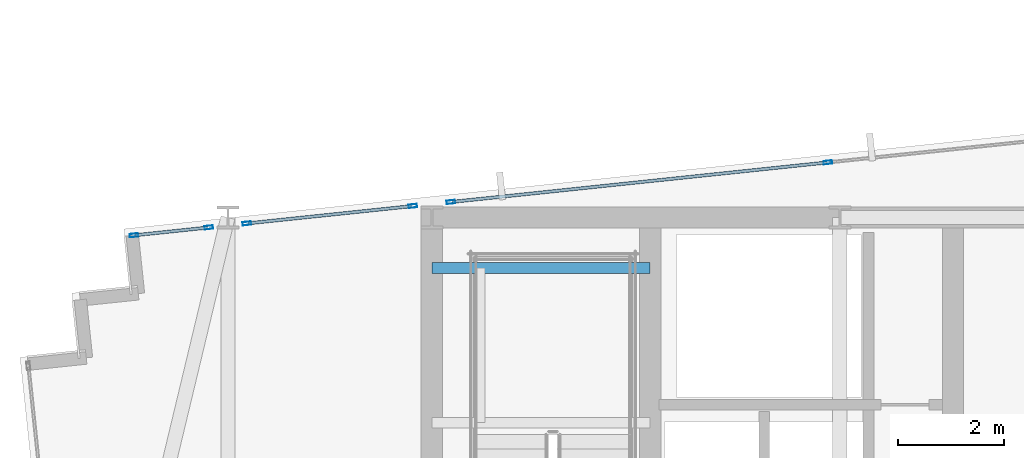
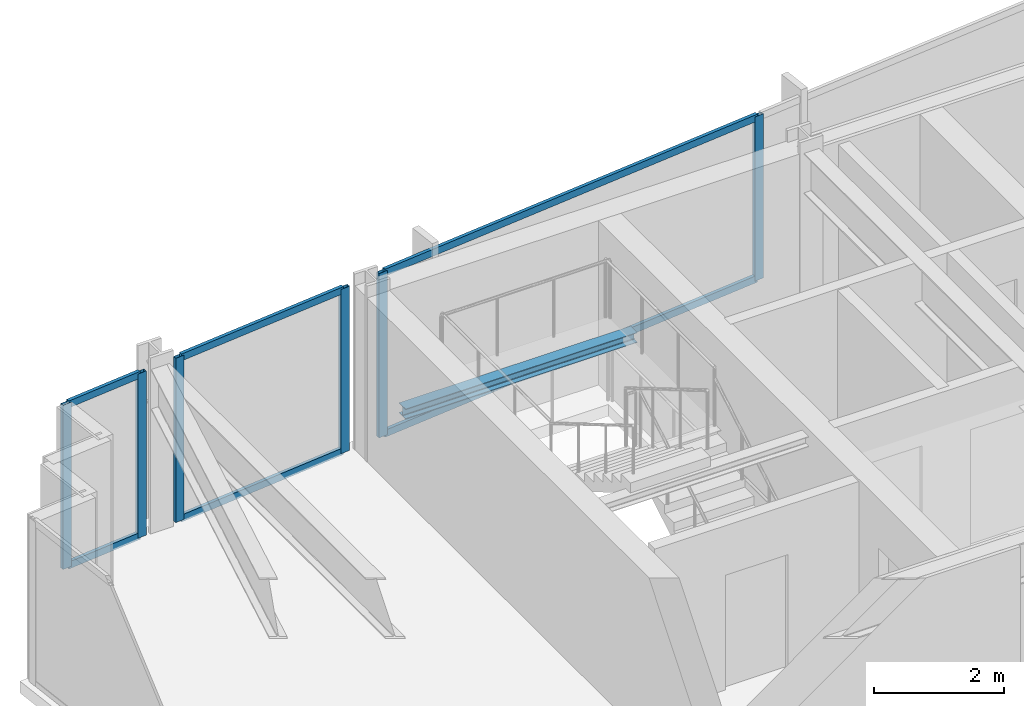
# One storey, part 20 of 32: 12 members, 1 beam, 3 elements without a shape of their own.
"""IFC4 building model written with IfcOpenShell, lengths in metres."""

import ifcopenshell
import ifcopenshell.guid

model = None  # the IFC model being written
_history = None  # IfcOwnerHistory: only IFC2X3 demands one
_inside = {}  # id of a spatial element -> (the spatial element, [elements in it])
_under = {}  # id of a project, library or spatial element -> (it, [spatial elements below it])
_declared = {}  # id of a project -> (the project, [libraries it declares])
_typed = {}  # id of a type object -> (the type object, [elements of that type])
_made_of = {}  # id of a material, layer set ... -> (it, [elements and type objects made of it])


def new_model(schema):
    """Start an empty IFC model of exactly this schema.

    Asked for "IFC4X3", IfcOpenShell would pick the latest addendum, in which some entities
    have other attributes; the version numbers below select the first issue.
    IFC2X3 requires an IfcOwnerHistory on every rooted entity: one is made here for all.
    """
    global model, _history
    if schema == "IFC4X3":
        model = ifcopenshell.file(schema_version=(4, 3, 0, 0))
    else:
        model = ifcopenshell.file(schema=schema)
    _inside.clear()
    _under.clear()
    _declared.clear()
    _typed.clear()
    _made_of.clear()
    _history = None
    if model.schema == "IFC2X3":
        org = make("IfcOrganization", Name="unknown")
        user = make(
            "IfcPersonAndOrganization",
            ThePerson=make("IfcPerson", FamilyName="unknown"),
            TheOrganization=org,
        )
        app = make(
            "IfcApplication",
            ApplicationDeveloper=org,
            Version="unknown",
            ApplicationFullName="unknown",
            ApplicationIdentifier="unknown",
        )
        _history = make(
            "IfcOwnerHistory",
            OwningUser=user,
            OwningApplication=app,
            ChangeAction="ADDED",
            CreationDate=0,
        )
    return model


def make(cls, **values):
    """One entity of the class cls with the attributes given. An attribute that is None is left unset."""
    return model.create_entity(
        cls, **{name: value for name, value in values.items() if value is not None}
    )


def rooted(cls, **values):
    """An entity with a GlobalId (a new one), such as an element, a storey or a relation."""
    return make(cls, GlobalId=ifcopenshell.guid.new(), OwnerHistory=_history, **values)


def si_unit(unit_type, name, prefix=None):
    """IfcSIUnit, for example si_unit("LENGTHUNIT", "METRE", prefix="MILLI")."""
    return make("IfcSIUnit", UnitType=unit_type, Prefix=prefix, Name=name)


def assignment(units):
    """IfcUnitAssignment: the units of a project."""
    return None if units is None else make("IfcUnitAssignment", Units=units)


def point(xyz):
    """IfcCartesianPoint."""
    return None if xyz is None else make("IfcCartesianPoint", Coordinates=xyz)


def direction(xyz):
    """IfcDirection."""
    return None if xyz is None else make("IfcDirection", DirectionRatios=xyz)


def frame(location, z_axis=None, x_axis=None):
    """IfcAxis2Placement3D, a coordinate frame: its origin and axes. An axis left out is left unset."""
    return make(
        "IfcAxis2Placement3D",
        Location=point(location),
        Axis=direction(z_axis),
        RefDirection=direction(x_axis),
    )


def frame_2d(location, x_axis=None):
    """IfcAxis2Placement2D, a coordinate frame in the plane: its origin and x axis."""
    return make(
        "IfcAxis2Placement2D", Location=point(location), RefDirection=direction(x_axis)
    )


def origin():
    """The frame at (0, 0, 0) with its axes left unset."""
    return frame((0.0, 0.0, 0.0))


def origin_2d():
    """The frame at (0, 0) in the plane with its x axis left unset."""
    return frame_2d((0.0, 0.0))


def place(relative_to, where):
    """IfcLocalPlacement: puts the frame where relative to a parent placement (None: the world)."""
    return make(
        "IfcLocalPlacement", PlacementRelTo=relative_to, RelativePlacement=where
    )


def context(
    kind, dimensions, precision=None, world=None, true_north=None, identifier=None
):
    """IfcGeometricRepresentationContext, for example the 3D "Model" context."""
    return make(
        "IfcGeometricRepresentationContext",
        ContextIdentifier=identifier,
        ContextType=kind,
        CoordinateSpaceDimension=dimensions,
        Precision=precision,
        WorldCoordinateSystem=world,
        TrueNorth=true_north,
    )


def subcontext(parent, identifier, kind, view, scale=None):
    """IfcGeometricRepresentationSubContext, for example "Body" below "Model"."""
    return make(
        "IfcGeometricRepresentationSubContext",
        ContextIdentifier=identifier,
        ContextType=kind,
        ParentContext=parent,
        TargetScale=scale,
        TargetView=view,
    )


def project(units=None, contexts=None):
    """IfcProject with its units and contexts."""
    return rooted(
        "IfcProject",
        Name="project",
        RepresentationContexts=contexts,
        UnitsInContext=assignment(units),
    )


def spatial(cls, under=None, at=None, **own):
    """A site, building, storey or space (cls), placed at a placement, below another one or the project."""
    s = rooted(cls, ObjectPlacement=at, **own)
    if under is not None:
        _under.setdefault(under.id(), (under, []))[1].append(s)
    return s


def profile(cls, at=None, kind="AREA", **sizes):
    """A parametric profile (cls). Its sizes go by their IFC names, for example OverallWidth=200.0."""
    return make(cls, ProfileType=kind, Position=at, **sizes)


def hollow_rectangle(**sizes):
    """IfcRectangleHollowProfileDef."""
    return profile("IfcRectangleHollowProfileDef", **sizes)


def i_section(**sizes):
    """IfcIShapeProfileDef."""
    return profile("IfcIShapeProfileDef", **sizes)


def extrude(swept, where, along, depth):
    """IfcExtrudedAreaSolid: the profile swept, set in the frame where, extruded along a direction by depth."""
    return make(
        "IfcExtrudedAreaSolid",
        SweptArea=swept,
        Position=where,
        ExtrudedDirection=direction(along),
        Depth=depth,
    )


def shape(context_of_items, identifier, shape_type, items):
    """IfcShapeRepresentation: the items that make up one representation, for example the "Body"."""
    return make(
        "IfcShapeRepresentation",
        ContextOfItems=context_of_items,
        RepresentationIdentifier=identifier,
        RepresentationType=shape_type,
        Items=items,
    )


def material(Name=None, Category=None):
    """IfcMaterial."""
    return make("IfcMaterial", Name=Name, Category=Category)


def material_profile(
    of_material, cross_section, Name=None, Category=None, Priority=None
):
    """IfcMaterialProfile: a cross section and its material."""
    return make(
        "IfcMaterialProfile",
        Name=Name,
        Material=of_material,
        Profile=cross_section,
        Priority=Priority,
        Category=Category,
    )


def profile_set(profiles, Name=None, composite=None):
    """IfcMaterialProfileSet."""
    return make(
        "IfcMaterialProfileSet",
        Name=Name,
        MaterialProfiles=profiles,
        CompositeProfile=composite,
    )


def made_of(thing, what):
    """Note that an element or type object is made of a material, layer set ...; save() writes the relation."""
    if what is not None:
        _made_of.setdefault(what.id(), (what, []))[1].append(thing)
    return thing


def type_object(cls, material=None, **own):
    """A type object (cls), such as IfcWallType, which elements share."""
    return made_of(rooted(cls, **own), material)


def element(
    cls,
    number,
    at=None,
    inside=None,
    cuts=None,
    type_object=None,
    material=None,
    context=None,
    identifier="Body",
    shape_type=None,
    held_by="IfcProductDefinitionShape",
    body=None,
    shapes=None,
    **own,
):
    """One element of the class cls, such as IfcWall. Its Tag is "e" and its number.

    at: its placement. inside: the storey or other place that contains it. cuts: it is an
    opening in that element (IfcRelVoidsElement). A single representation is given by context,
    identifier, shape_type and body (its items); several are given by shapes. held_by: the class
    of the entity that holds the representations. save() writes the other relations.
    """
    e = rooted(cls, Tag="e%d" % number, ObjectPlacement=at, **own)
    if body is not None:
        shapes = [shape(context, identifier, shape_type, body)]
    if shapes is not None:
        e.Representation = make(held_by, Representations=shapes)
    if inside is not None:
        _inside.setdefault(inside.id(), (inside, []))[1].append(e)
    if cuts is not None:
        rooted(
            "IfcRelVoidsElement", RelatingBuildingElement=cuts, RelatedOpeningElement=e
        )
    if type_object is not None:
        _typed.setdefault(type_object.id(), (type_object, []))[1].append(e)
    return made_of(e, material)


def aggregate(whole, parts):
    """IfcRelAggregates: a whole, such as a stair, and the parts it consists of."""
    return rooted("IfcRelAggregates", RelatingObject=whole, RelatedObjects=parts)


def save(model, path):
    """Write the relations noted so far, then the file.

    IfcRelAggregates (storeys below a building ...), IfcRelContainedInSpatialStructure (elements
    in a storey), IfcRelDefinesByType, IfcRelAssociatesMaterial and IfcRelDeclares: one each for
    every whole, place, type object, material and project.
    """
    for whole, parts in _under.values():
        aggregate(whole, parts)
    for where, things in _inside.values():
        rooted(
            "IfcRelContainedInSpatialStructure",
            RelatedElements=things,
            RelatingStructure=where,
        )
    for kind, things in _typed.values():
        rooted("IfcRelDefinesByType", RelatedObjects=things, RelatingType=kind)
    for what, things in _made_of.values():
        rooted("IfcRelAssociatesMaterial", RelatedObjects=things, RelatingMaterial=what)
    for by, libraries in _declared.values():
        rooted("IfcRelDeclares", RelatingContext=by, RelatedDefinitions=libraries)
    model.write(path)


model = new_model("IFC4")

# Units and contexts
model_context = context("Model", 3, precision=1e-05, world=origin(), true_north=direction((0.0, 1.0)))
body_context = subcontext(model_context, "Body", "Model", "MODEL_VIEW")
ifc_project = project(units=[si_unit("LENGTHUNIT", "METRE"), si_unit("AREAUNIT", "SQUARE_METRE"), si_unit("VOLUMEUNIT", "CUBIC_METRE"), si_unit("PLANEANGLEUNIT", "RADIAN"), si_unit("MASSUNIT", "GRAM", prefix="KILO")], contexts=[model_context])

# Site, building, storey
site_placement = place(None, origin())
site = spatial("IfcSite", under=ifc_project, at=site_placement, CompositionType="ELEMENT")
building_placement = place(site_placement, origin())
building = spatial("IfcBuilding", under=site, at=building_placement, Name="Yelkora Congress Tower", CompositionType="ELEMENT")
storey_placement = place(building_placement, frame((0.0, 0.0, 211.10009765625)))
storey = spatial("IfcBuildingStorey", under=building, at=storey_placement, Name="L58", CompositionType="ELEMENT", Elevation=211.10009765625)

# Beam
ifc_material_1 = material(Name="Steel S355J2", Category="steel")
ifc_material_profile_1 = material_profile(ifc_material_1, i_section(OverallWidth=0.199951171875, OverallDepth=0.18994140625, WebThickness=0.006591796875, FlangeThickness=0.010009765625, FilletRadius=0.01806640625, at=origin_2d()), Name="HEA 200")
ifc_profile_set_1 = profile_set([ifc_material_profile_1], Name="Steel S355J2")
beam_type = type_object("IfcBeamType", Name="BM-LAND-HEA200", PredefinedType="BEAM", material=ifc_profile_set_1)
beam_placement = place(storey_placement, frame((23.0400390625, 45.25, 1.33447265625), z_axis=(1.0, 0.0, 0.0), x_axis=(0.0, 1.0, 0.0)))
element("IfcBeam", 1, at=beam_placement, inside=storey, type_object=beam_type, Name="ST-01 L58 Landing Header Beam 1N", PredefinedType="BEAM", context=body_context, shape_type="SweptSolid", body=[
    extrude(i_section(OverallWidth=0.199951171875, OverallDepth=0.18994140625, WebThickness=0.006591796875, FlangeThickness=0.010009765625, FilletRadius=0.01806640625, at=origin_2d()), origin(), (0.0, 0.0, 1.0), 4.10986328125),
])

# Curtain wall, members
ifc_material_2 = material(Name="Anodised aluminium and insulated glass", Category="aluminium")
curtain_wall_type = type_object("IfcCurtainWallType", Name="CW-SYS-B4", PredefinedType="NOTDEFINED", material=ifc_material_2)
curtain_wall_1_placement = place(storey_placement, origin())
curtain_wall_1 = element("IfcCurtainWall", 2, at=curtain_wall_1_placement, inside=storey, type_object=curtain_wall_type, Name="L58 Unitised Curtain Wall 10 (1)", PredefinedType="NOTDEFINED")
ifc_material_3 = material(Name="Anodised aluminium 6063-T6", Category="aluminium")
ifc_material_profile_2 = material_profile(ifc_material_3, hollow_rectangle(XDim=0.06494140625, YDim=0.159912109375, WallThickness=0.00390625, at=origin_2d()), Name="ALU 65x160x4")
ifc_profile_set_2 = profile_set([ifc_material_profile_2], Name="Anodised aluminium 6063-T6")
member_type_1 = type_object("IfcMemberType", Name="MEM-ML-B4", PredefinedType="MULLION", material=ifc_profile_set_2)
member_1_placement = place(storey_placement, frame((17.431396484375, 45.865966796875, 0.0), z_axis=(0.0, 0.0, 1.0), x_axis=(-0.104509292244, 0.994523910137, 0.0)))
member_1 = element("IfcMember", 3, at=member_1_placement, type_object=member_type_1, Name="CW-B4 mullion 1", PredefinedType="MULLION", context=body_context, shape_type="SweptSolid", body=[
    extrude(hollow_rectangle(XDim=0.06494140625, YDim=0.159912109375, WallThickness=0.00390625, at=origin_2d()), origin(), (0.0, 0.0, 1.0), 3.079833984375),
])
member_2_placement = place(storey_placement, frame((18.841796875, 46.01416015625, 0.0), z_axis=(0.0, 0.0, 1.0), x_axis=(-0.104509292244, 0.994523910137, 0.0)))
member_2 = element("IfcMember", 4, at=member_2_placement, type_object=member_type_1, Name="CW-B4 mullion 2", PredefinedType="MULLION", context=body_context, shape_type="SweptSolid", body=[
    extrude(hollow_rectangle(XDim=0.06494140625, YDim=0.159912109375, WallThickness=0.00390625, at=origin_2d()), origin(), (0.0, 0.0, 1.0), 3.079833984375),
])

curtain_wall_2_placement = place(storey_placement, origin())
curtain_wall_2 = element("IfcCurtainWall", 5, at=curtain_wall_2_placement, inside=storey, type_object=curtain_wall_type, Name="L58 Unitised Curtain Wall 10 (2)", PredefinedType="NOTDEFINED")
member_3_placement = place(storey_placement, frame((19.558349609375, 46.089599609375, 0.0), z_axis=(0.0, 0.0, 1.0), x_axis=(-0.104506154437, 0.994524239868, 0.0)))
member_3 = element("IfcMember", 6, at=member_3_placement, type_object=member_type_1, Name="CW-B4 mullion 1", PredefinedType="MULLION", context=body_context, shape_type="SweptSolid", body=[
    extrude(hollow_rectangle(XDim=0.06494140625, YDim=0.159912109375, WallThickness=0.00390625, at=origin_2d()), origin(), (0.0, 0.0, 1.0), 3.079833984375),
])
member_4_placement = place(storey_placement, frame((22.681640625, 46.417724609375, 0.0), z_axis=(0.0, 0.0, 1.0), x_axis=(-0.104506154437, 0.994524239868, 0.0)))
member_4 = element("IfcMember", 7, at=member_4_placement, type_object=member_type_1, Name="CW-B4 mullion 2", PredefinedType="MULLION", context=body_context, shape_type="SweptSolid", body=[
    extrude(hollow_rectangle(XDim=0.06494140625, YDim=0.159912109375, WallThickness=0.00390625, at=origin_2d()), origin(), (0.0, 0.0, 1.0), 3.079833984375),
])

curtain_wall_3_placement = place(storey_placement, origin())
curtain_wall_3 = element("IfcCurtainWall", 8, at=curtain_wall_3_placement, inside=storey, type_object=curtain_wall_type, Name="L58 Unitised Curtain Wall 10 (3)", PredefinedType="NOTDEFINED")
member_5_placement = place(storey_placement, frame((23.3984375, 46.4931640625, 0.0), z_axis=(0.0, 0.0, 1.0), x_axis=(-0.104527724021, 0.994521973066, 0.0)))
member_5 = element("IfcMember", 9, at=member_5_placement, type_object=member_type_1, Name="CW-B4 mullion 1", PredefinedType="MULLION", context=body_context, shape_type="SweptSolid", body=[
    extrude(hollow_rectangle(XDim=0.06494140625, YDim=0.159912109375, WallThickness=0.00390625, at=origin_2d()), origin(), (0.0, 0.0, 1.0), 3.079833984375),
])
member_6_placement = place(storey_placement, frame((30.496826171875, 47.2392578125, 0.0), z_axis=(0.0, 0.0, 1.0), x_axis=(-0.104527724021, 0.994521973066, 0.0)))
member_6 = element("IfcMember", 10, at=member_6_placement, type_object=member_type_1, Name="CW-B4 mullion 2", PredefinedType="MULLION", context=body_context, shape_type="SweptSolid", body=[
    extrude(hollow_rectangle(XDim=0.06494140625, YDim=0.159912109375, WallThickness=0.00390625, at=origin_2d()), origin(), (0.0, 0.0, 1.0), 3.079833984375),
])

# Member
ifc_material_profile_3 = material_profile(ifc_material_3, hollow_rectangle(XDim=0.06005859375, YDim=0.1298828125, WallThickness=0.00390625, at=origin_2d()), Name="ALU 60x130x4")
ifc_profile_set_3 = profile_set([ifc_material_profile_3], Name="Anodised aluminium 6063-T6")
member_type_2 = type_object("IfcMemberType", Name="MEM-TR-B4", PredefinedType="USERDEFINED", material=ifc_profile_set_3)
member_7_placement = place(storey_placement, frame((17.463623046875, 45.869384765625, 0.02978515625), z_axis=(0.994528168538, 0.10446876081, 0.0), x_axis=(-0.10446876081, 0.994528168538, 0.0)))
member_7 = element("IfcMember", 11, at=member_7_placement, type_object=member_type_2, Name="CW-B4 transom 1.1", ObjectType="TRANSOM", PredefinedType="USERDEFINED", context=body_context, shape_type="SweptSolid", body=[
    extrude(hollow_rectangle(XDim=0.06005859375, YDim=0.1298828125, WallThickness=0.00390625, at=origin_2d()), origin(), (0.0, 0.0, 1.0), 1.35302734375),
])

member_8_placement = place(storey_placement, frame((17.463623046875, 45.869384765625, 3.0498046875), z_axis=(0.994528168538, 0.10446876081, 0.0), x_axis=(-0.10446876081, 0.994528168538, 0.0)))
member_8 = element("IfcMember", 12, at=member_8_placement, type_object=member_type_2, Name="CW-B4 transom 1.2", ObjectType="TRANSOM", PredefinedType="USERDEFINED", context=body_context, shape_type="SweptSolid", body=[
    extrude(hollow_rectangle(XDim=0.06005859375, YDim=0.1298828125, WallThickness=0.00390625, at=origin_2d()), origin(), (0.0, 0.0, 1.0), 1.35302734375),
])

aggregate(curtain_wall_1, [member_1, member_2, member_7, member_8])

member_9_placement = place(storey_placement, frame((19.590576171875, 46.093017578125, 0.02978515625), z_axis=(0.994528915126, 0.104461653149, 0.0), x_axis=(-0.104461653149, 0.994528915126, 0.0)))
member_9 = element("IfcMember", 13, at=member_9_placement, type_object=member_type_2, Name="CW-B4 transom 1.1", ObjectType="TRANSOM", PredefinedType="USERDEFINED", context=body_context, shape_type="SweptSolid", body=[
    extrude(hollow_rectangle(XDim=0.06005859375, YDim=0.1298828125, WallThickness=0.00390625, at=origin_2d()), origin(), (0.0, 0.0, 1.0), 3.07568359375),
])

member_10_placement = place(storey_placement, frame((19.590576171875, 46.093017578125, 3.0498046875), z_axis=(0.994528915126, 0.104461653149, 0.0), x_axis=(-0.104461653149, 0.994528915126, 0.0)))
member_10 = element("IfcMember", 14, at=member_10_placement, type_object=member_type_2, Name="CW-B4 transom 1.2", ObjectType="TRANSOM", PredefinedType="USERDEFINED", context=body_context, shape_type="SweptSolid", body=[
    extrude(hollow_rectangle(XDim=0.06005859375, YDim=0.1298828125, WallThickness=0.00390625, at=origin_2d()), origin(), (0.0, 0.0, 1.0), 3.07568359375),
])

aggregate(curtain_wall_2, [member_3, member_4, member_9, member_10])

member_11_placement = place(storey_placement, frame((23.4306640625, 46.49658203125, 0.02978515625), z_axis=(0.994522085625, 0.104526653081, 0.0), x_axis=(-0.104526653081, 0.994522085625, 0.0)))
member_11 = element("IfcMember", 15, at=member_11_placement, type_object=member_type_2, Name="CW-B4 transom 1.1", ObjectType="TRANSOM", PredefinedType="USERDEFINED", context=body_context, shape_type="SweptSolid", body=[
    extrude(hollow_rectangle(XDim=0.06005859375, YDim=0.1298828125, WallThickness=0.00390625, at=origin_2d()), origin(), (0.0, 0.0, 1.0), 7.072509765625),
])

member_12_placement = place(storey_placement, frame((23.4306640625, 46.49658203125, 3.0498046875), z_axis=(0.994522085625, 0.104526653081, 0.0), x_axis=(-0.104526653081, 0.994522085625, 0.0)))
member_12 = element("IfcMember", 16, at=member_12_placement, type_object=member_type_2, Name="CW-B4 transom 1.2", ObjectType="TRANSOM", PredefinedType="USERDEFINED", context=body_context, shape_type="SweptSolid", body=[
    extrude(hollow_rectangle(XDim=0.06005859375, YDim=0.1298828125, WallThickness=0.00390625, at=origin_2d()), origin(), (0.0, 0.0, 1.0), 7.072509765625),
])

aggregate(curtain_wall_3, [member_5, member_6, member_11, member_12])

save(model, "model.ifc")
